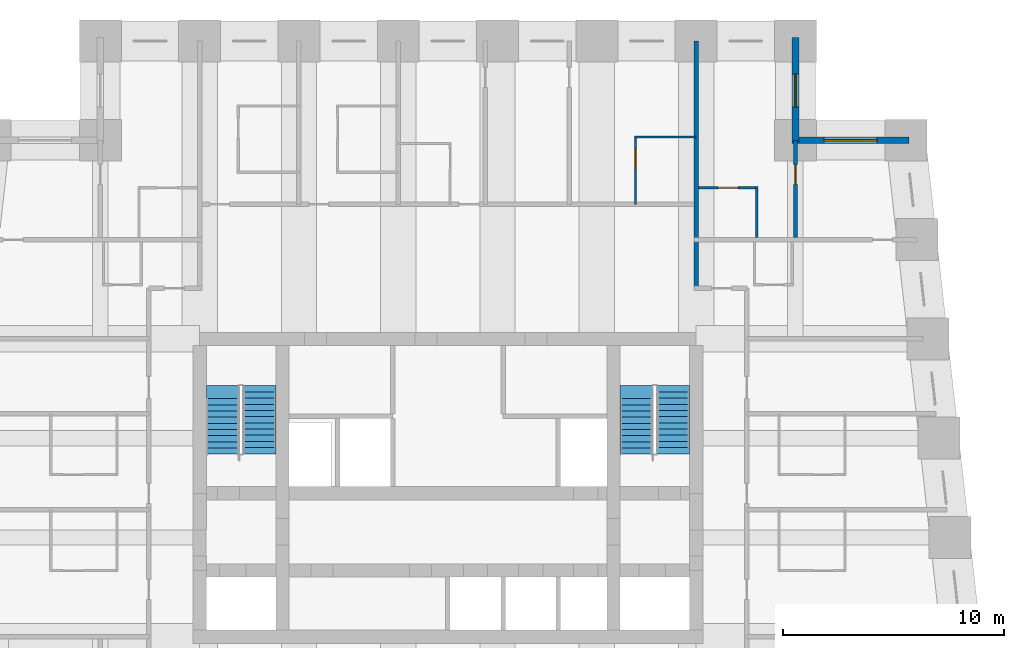
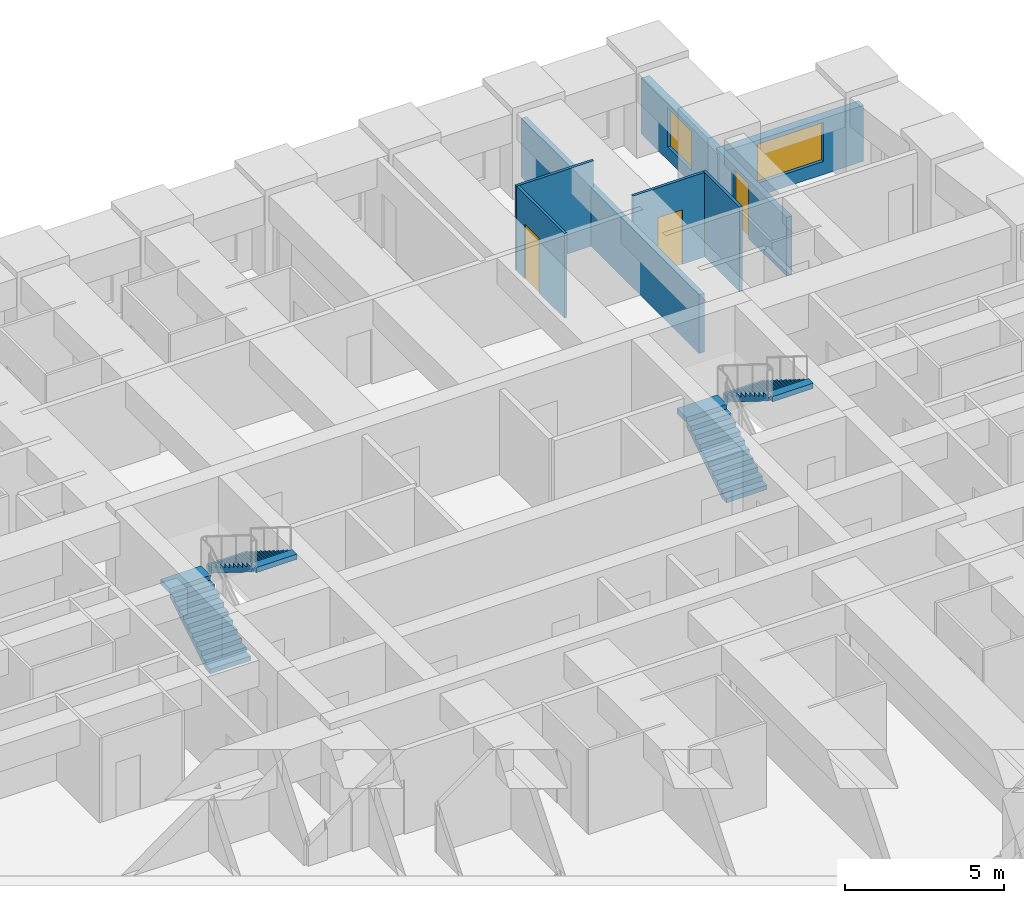
# One storey, part 7 of 8: 8 walls, 4 stair flights, 3 doors, 2 windows, 5 openings, 2 elements without a shape of their own.
"""IFC4 building model written with IfcOpenShell, lengths in metres."""

import ifcopenshell
import ifcopenshell.guid

model = None  # the IFC model being written
_history = None  # IfcOwnerHistory: only IFC2X3 demands one
_inside = {}  # id of a spatial element -> (the spatial element, [elements in it])
_under = {}  # id of a project, library or spatial element -> (it, [spatial elements below it])
_declared = {}  # id of a project -> (the project, [libraries it declares])
_typed = {}  # id of a type object -> (the type object, [elements of that type])
_made_of = {}  # id of a material, layer set ... -> (it, [elements and type objects made of it])


def new_model(schema):
    """Start an empty IFC model of exactly this schema.

    Asked for "IFC4X3", IfcOpenShell would pick the latest addendum, in which some entities
    have other attributes; the version numbers below select the first issue.
    IFC2X3 requires an IfcOwnerHistory on every rooted entity: one is made here for all.
    """
    global model, _history
    if schema == "IFC4X3":
        model = ifcopenshell.file(schema_version=(4, 3, 0, 0))
    else:
        model = ifcopenshell.file(schema=schema)
    _inside.clear()
    _under.clear()
    _declared.clear()
    _typed.clear()
    _made_of.clear()
    _history = None
    if model.schema == "IFC2X3":
        org = make("IfcOrganization", Name="unknown")
        user = make(
            "IfcPersonAndOrganization",
            ThePerson=make("IfcPerson", FamilyName="unknown"),
            TheOrganization=org,
        )
        app = make(
            "IfcApplication",
            ApplicationDeveloper=org,
            Version="unknown",
            ApplicationFullName="unknown",
            ApplicationIdentifier="unknown",
        )
        _history = make(
            "IfcOwnerHistory",
            OwningUser=user,
            OwningApplication=app,
            ChangeAction="ADDED",
            CreationDate=0,
        )
    return model


def make(cls, **values):
    """One entity of the class cls with the attributes given. An attribute that is None is left unset."""
    return model.create_entity(
        cls, **{name: value for name, value in values.items() if value is not None}
    )


def rooted(cls, **values):
    """An entity with a GlobalId (a new one), such as an element, a storey or a relation."""
    return make(cls, GlobalId=ifcopenshell.guid.new(), OwnerHistory=_history, **values)


def si_unit(unit_type, name, prefix=None):
    """IfcSIUnit, for example si_unit("LENGTHUNIT", "METRE", prefix="MILLI")."""
    return make("IfcSIUnit", UnitType=unit_type, Prefix=prefix, Name=name)


def assignment(units):
    """IfcUnitAssignment: the units of a project."""
    return None if units is None else make("IfcUnitAssignment", Units=units)


def point(xyz):
    """IfcCartesianPoint."""
    return None if xyz is None else make("IfcCartesianPoint", Coordinates=xyz)


def direction(xyz):
    """IfcDirection."""
    return None if xyz is None else make("IfcDirection", DirectionRatios=xyz)


def frame(location, z_axis=None, x_axis=None):
    """IfcAxis2Placement3D, a coordinate frame: its origin and axes. An axis left out is left unset."""
    return make(
        "IfcAxis2Placement3D",
        Location=point(location),
        Axis=direction(z_axis),
        RefDirection=direction(x_axis),
    )


def frame_2d(location, x_axis=None):
    """IfcAxis2Placement2D, a coordinate frame in the plane: its origin and x axis."""
    return make(
        "IfcAxis2Placement2D", Location=point(location), RefDirection=direction(x_axis)
    )


def origin():
    """The frame at (0, 0, 0) with its axes left unset."""
    return frame((0.0, 0.0, 0.0))


def place(relative_to, where):
    """IfcLocalPlacement: puts the frame where relative to a parent placement (None: the world)."""
    return make(
        "IfcLocalPlacement", PlacementRelTo=relative_to, RelativePlacement=where
    )


def context(
    kind, dimensions, precision=None, world=None, true_north=None, identifier=None
):
    """IfcGeometricRepresentationContext, for example the 3D "Model" context."""
    return make(
        "IfcGeometricRepresentationContext",
        ContextIdentifier=identifier,
        ContextType=kind,
        CoordinateSpaceDimension=dimensions,
        Precision=precision,
        WorldCoordinateSystem=world,
        TrueNorth=true_north,
    )


def subcontext(parent, identifier, kind, view, scale=None):
    """IfcGeometricRepresentationSubContext, for example "Body" below "Model"."""
    return make(
        "IfcGeometricRepresentationSubContext",
        ContextIdentifier=identifier,
        ContextType=kind,
        ParentContext=parent,
        TargetScale=scale,
        TargetView=view,
    )


def project(units=None, contexts=None):
    """IfcProject with its units and contexts."""
    return rooted(
        "IfcProject",
        Name="project",
        RepresentationContexts=contexts,
        UnitsInContext=assignment(units),
    )


def spatial(cls, under=None, at=None, **own):
    """A site, building, storey or space (cls), placed at a placement, below another one or the project."""
    s = rooted(cls, ObjectPlacement=at, **own)
    if under is not None:
        _under.setdefault(under.id(), (under, []))[1].append(s)
    return s


def polyline(points):
    """IfcPolyline through the points."""
    return make("IfcPolyline", Points=[point(p) for p in points])


def profile(cls, at=None, kind="AREA", **sizes):
    """A parametric profile (cls). Its sizes go by their IFC names, for example OverallWidth=200.0."""
    return make(cls, ProfileType=kind, Position=at, **sizes)


def rectangle(**sizes):
    """IfcRectangleProfileDef."""
    return profile("IfcRectangleProfileDef", **sizes)


def outline(outer, holes=None, kind="AREA"):
    """IfcArbitraryClosedProfileDef: a profile drawn as a closed curve; with holes, ...WithVoids."""
    if holes is None:
        return make("IfcArbitraryClosedProfileDef", ProfileType=kind, OuterCurve=outer)
    return make(
        "IfcArbitraryProfileDefWithVoids",
        ProfileType=kind,
        OuterCurve=outer,
        InnerCurves=holes,
    )


def extrude(swept, where, along, depth):
    """IfcExtrudedAreaSolid: the profile swept, set in the frame where, extruded along a direction by depth."""
    return make(
        "IfcExtrudedAreaSolid",
        SweptArea=swept,
        Position=where,
        ExtrudedDirection=direction(along),
        Depth=depth,
    )


def shape(context_of_items, identifier, shape_type, items):
    """IfcShapeRepresentation: the items that make up one representation, for example the "Body"."""
    return make(
        "IfcShapeRepresentation",
        ContextOfItems=context_of_items,
        RepresentationIdentifier=identifier,
        RepresentationType=shape_type,
        Items=items,
    )


def material(Name=None, Category=None):
    """IfcMaterial."""
    return make("IfcMaterial", Name=Name, Category=Category)


def layer(
    of_material, thickness, ventilated=None, Name=None, Category=None, Priority=None
):
    """IfcMaterialLayer: one layer of a wall or slab, of a material (None: an air gap)."""
    return make(
        "IfcMaterialLayer",
        Material=of_material,
        LayerThickness=thickness,
        IsVentilated=ventilated,
        Name=Name,
        Category=Category,
        Priority=Priority,
    )


def layer_set(layers, Name=None):
    """IfcMaterialLayerSet."""
    return make("IfcMaterialLayerSet", MaterialLayers=layers, LayerSetName=Name)


def made_of(thing, what):
    """Note that an element or type object is made of a material, layer set ...; save() writes the relation."""
    if what is not None:
        _made_of.setdefault(what.id(), (what, []))[1].append(thing)
    return thing


def type_object(cls, material=None, **own):
    """A type object (cls), such as IfcWallType, which elements share."""
    return made_of(rooted(cls, **own), material)


def element(
    cls,
    number,
    at=None,
    inside=None,
    cuts=None,
    type_object=None,
    material=None,
    context=None,
    identifier="Body",
    shape_type=None,
    held_by="IfcProductDefinitionShape",
    body=None,
    shapes=None,
    **own,
):
    """One element of the class cls, such as IfcWall. Its Tag is "e" and its number.

    at: its placement. inside: the storey or other place that contains it. cuts: it is an
    opening in that element (IfcRelVoidsElement). A single representation is given by context,
    identifier, shape_type and body (its items); several are given by shapes. held_by: the class
    of the entity that holds the representations. save() writes the other relations.
    """
    e = rooted(cls, Tag="e%d" % number, ObjectPlacement=at, **own)
    if body is not None:
        shapes = [shape(context, identifier, shape_type, body)]
    if shapes is not None:
        e.Representation = make(held_by, Representations=shapes)
    if inside is not None:
        _inside.setdefault(inside.id(), (inside, []))[1].append(e)
    if cuts is not None:
        rooted(
            "IfcRelVoidsElement", RelatingBuildingElement=cuts, RelatedOpeningElement=e
        )
    if type_object is not None:
        _typed.setdefault(type_object.id(), (type_object, []))[1].append(e)
    return made_of(e, material)


def fill(opening, filler):
    """IfcRelFillsElement: the door or window that sits in an opening."""
    return rooted(
        "IfcRelFillsElement",
        RelatingOpeningElement=opening,
        RelatedBuildingElement=filler,
    )


def aggregate(whole, parts):
    """IfcRelAggregates: a whole, such as a stair, and the parts it consists of."""
    return rooted("IfcRelAggregates", RelatingObject=whole, RelatedObjects=parts)


def save(model, path):
    """Write the relations noted so far, then the file.

    IfcRelAggregates (storeys below a building ...), IfcRelContainedInSpatialStructure (elements
    in a storey), IfcRelDefinesByType, IfcRelAssociatesMaterial and IfcRelDeclares: one each for
    every whole, place, type object, material and project.
    """
    for whole, parts in _under.values():
        aggregate(whole, parts)
    for where, things in _inside.values():
        rooted(
            "IfcRelContainedInSpatialStructure",
            RelatedElements=things,
            RelatingStructure=where,
        )
    for kind, things in _typed.values():
        rooted("IfcRelDefinesByType", RelatedObjects=things, RelatingType=kind)
    for what, things in _made_of.values():
        rooted("IfcRelAssociatesMaterial", RelatedObjects=things, RelatingMaterial=what)
    for by, libraries in _declared.values():
        rooted("IfcRelDeclares", RelatingContext=by, RelatedDefinitions=libraries)
    model.write(path)


model = new_model("IFC4")

# Units and contexts
model_context = context("Model", 3, precision=1e-05, world=origin(), true_north=direction((0.0, 1.0)))
body_context = subcontext(model_context, "Body", "Model", "MODEL_VIEW")
ifc_project = project(units=[si_unit("LENGTHUNIT", "METRE"), si_unit("AREAUNIT", "SQUARE_METRE"), si_unit("VOLUMEUNIT", "CUBIC_METRE"), si_unit("PLANEANGLEUNIT", "RADIAN"), si_unit("MASSUNIT", "GRAM", prefix="KILO")], contexts=[model_context])

# Site, building, storey
site_placement = place(None, origin())
site = spatial("IfcSite", under=ifc_project, at=site_placement, CompositionType="ELEMENT")
building_placement = place(site_placement, origin())
building = spatial("IfcBuilding", under=site, at=building_placement, Name="Kilele Tower Hotel", CompositionType="ELEMENT")
storey_placement = place(building_placement, frame((0.0, 0.0, 100.39990234375)))
storey = spatial("IfcBuildingStorey", under=building, at=storey_placement, Name="L25", CompositionType="ELEMENT", Elevation=100.39990234375)

# Wall
ifc_material_1 = material(Name="Moisture-resistant board")
ifc_layer_1 = layer(ifc_material_1, 0.10009765625)
ifc_layer_set_1 = layer_set([ifc_layer_1], Name="Moisture-resistant board")
wall_type_1 = type_object("IfcWallType", Name="Bathroom partition 100", PredefinedType="PLUMBINGWALL", material=ifc_layer_set_1)
wall_1_placement = place(storey_placement, frame((33.199951171875, 36.14990234375, 0.0), z_axis=(0.0, 0.0, 1.0), x_axis=(1.0, 0.0, 0.0)))
element("IfcWall", 1, at=wall_1_placement, inside=storey, type_object=wall_type_1, Name="Bathroom partition 100 L25", PredefinedType="PLUMBINGWALL", context=body_context, shape_type="SweptSolid", body=[
    extrude(rectangle(XDim=2.800048828125, YDim=0.10009765625, at=frame_2d((1.39990234375, 0.0))), origin(), (0.0, 0.0, 1.0), 3.25),
])

# Wall, opening, door
wall_2_placement = place(storey_placement, frame((33.25, 33.10009765625, 0.0), z_axis=(0.0, 0.0, 1.0), x_axis=(0.0, 1.0, 0.0)))
wall_2 = element("IfcWall", 2, at=wall_2_placement, inside=storey, type_object=wall_type_1, Name="Bathroom partition 100 L25", PredefinedType="PLUMBINGWALL", context=body_context, shape_type="SweptSolid", body=[
    extrude(rectangle(XDim=3.099853515625, YDim=0.10009765625, at=frame_2d((1.5498046875, 0.0))), origin(), (0.0, 0.0, 1.0), 3.25),
])
opening_1_placement = place(wall_2_placement, frame((1.60009765625, 0.0, 0.0)))
opening_1 = element("IfcOpeningElement", 3, at=opening_1_placement, cuts=wall_2, Name="Opening D2A", PredefinedType="OPENING", context=body_context, shape_type="SweptSolid", body=[
    extrude(rectangle(XDim=0.89990234375, YDim=2.10009765625, at=frame_2d((0.449951171875, 1.050048828125))), frame((0.0, 0.06005859375, 0.0), z_axis=(0.0, -1.0, 0.0), x_axis=(1.0, 0.0, 0.0)), (0.0, 0.0, 1.0), 0.1201171875),
])
ifc_material_2 = material(Name="Timber door leaf in hardwood frame", Category="wood")
door_type_1 = type_object("IfcDoorType", Name="Bathroom door 900", OperationType="SINGLE_SWING_LEFT", PredefinedType="DOOR", material=ifc_material_2)
door_1_placement = place(opening_1_placement, origin())
door_1 = element("IfcDoor", 4, at=door_1_placement, inside=storey, type_object=door_type_1, Name="Bathroom door 2513B", OperationType="SINGLE_SWING_LEFT", OverallHeight=2.10009765625, OverallWidth=0.89990234375, PredefinedType="DOOR", context=body_context, shape_type="SweptSolid", body=[
    extrude(rectangle(XDim=0.89990234375, YDim=2.10009765625, at=frame_2d((0.449951171875, 1.050048828125))), frame((0.0, 0.02490234375, 0.0), z_axis=(0.0, -1.0, 0.0), x_axis=(1.0, 0.0, 0.0)), (0.0, 0.0, 1.0), 0.050048828125),
])
fill(opening_1, door_1)

# Wall
wall_3_placement = place(storey_placement, frame((38.75, 31.60009765625, 0.0), z_axis=(0.0, 0.0, 1.0), x_axis=(0.0, 1.0, 0.0)))
element("IfcWall", 5, at=wall_3_placement, inside=storey, type_object=wall_type_1, Name="Bathroom partition 100 L25", PredefinedType="PLUMBINGWALL", context=body_context, shape_type="SweptSolid", body=[
    extrude(rectangle(XDim=2.2998046875, YDim=0.10009765625, at=frame_2d((1.14990234375, 0.0))), origin(), (0.0, 0.0, 1.0), 3.25),
])

# Wall, opening, door
wall_4_placement = place(storey_placement, frame((36.10009765625, 33.85009765625, 0.0), z_axis=(0.0, 0.0, 1.0), x_axis=(1.0, 0.0, 0.0)))
wall_4 = element("IfcWall", 6, at=wall_4_placement, inside=storey, type_object=wall_type_1, Name="Bathroom partition 100 L25", PredefinedType="PLUMBINGWALL", context=body_context, shape_type="SweptSolid", body=[
    extrude(rectangle(XDim=2.699951171875, YDim=0.10009765625, at=frame_2d((1.35009765625, 0.0))), origin(), (0.0, 0.0, 1.0), 3.25),
])
opening_2_placement = place(wall_4_placement, frame((0.89990234375, 0.0, 0.0)))
opening_2 = element("IfcOpeningElement", 7, at=opening_2_placement, cuts=wall_4, Name="Opening D2A", PredefinedType="OPENING", context=body_context, shape_type="SweptSolid", body=[
    extrude(rectangle(XDim=0.89990234375, YDim=2.10009765625, at=frame_2d((0.449951171875, 1.050048828125))), frame((0.0, 0.06005859375, 0.0), z_axis=(0.0, -1.0, 0.0), x_axis=(1.0, 0.0, 0.0)), (0.0, 0.0, 1.0), 0.1201171875),
])
door_2_placement = place(opening_2_placement, origin())
door_2 = element("IfcDoor", 8, at=door_2_placement, inside=storey, type_object=door_type_1, Name="Bathroom door 2524B", OperationType="SINGLE_SWING_LEFT", OverallHeight=2.10009765625, OverallWidth=0.89990234375, PredefinedType="DOOR", context=body_context, shape_type="SweptSolid", body=[
    extrude(rectangle(XDim=0.89990234375, YDim=2.10009765625, at=frame_2d((0.449951171875, 1.050048828125))), frame((0.0, 0.02490234375, 0.0), z_axis=(0.0, -1.0, 0.0), x_axis=(1.0, 0.0, 0.0)), (0.0, 0.0, 1.0), 0.050048828125),
])
fill(opening_2, door_2)

ifc_material_3 = material(Name="Blockwork, plastered both sides", Category="masonry")
ifc_layer_2 = layer(ifc_material_3, 0.199951171875)
ifc_layer_set_2 = layer_set([ifc_layer_2], Name="Blockwork, plastered both sides")
wall_type_2 = type_object("IfcWallType", Name="Partition wall 200", PredefinedType="PARTITIONING", material=ifc_layer_set_2)
wall_5_placement = place(storey_placement, frame((40.5, 31.60009765625, 0.0), z_axis=(0.0, 0.0, 1.0), x_axis=(0.0, 1.0, 0.0)))
wall_5 = element("IfcWall", 9, at=wall_5_placement, inside=storey, type_object=wall_type_2, Name="Partition wall 200 L25", PredefinedType="PARTITIONING", context=body_context, shape_type="SweptSolid", body=[
    extrude(rectangle(XDim=4.39990234375, YDim=0.199951171875, at=frame_2d((2.199951171875, 0.0))), origin(), (0.0, 0.0, 1.0), 2.25),
])
opening_3_placement = place(wall_5_placement, frame((2.39990234375, 0.0, 0.0)))
opening_3 = element("IfcOpeningElement", 10, at=opening_3_placement, cuts=wall_5, Name="Opening D3", PredefinedType="OPENING", context=body_context, shape_type="SweptSolid", body=[
    extrude(rectangle(XDim=0.89990234375, YDim=2.10009765625, at=frame_2d((0.449951171875, 1.050048828125))), frame((0.0, 0.10986328125, 0.0), z_axis=(0.0, -1.0, 0.0), x_axis=(1.0, 0.0, 0.0)), (0.0, 0.0, 1.0), 0.219970703125),
])
ifc_material_4 = material(Name="Timber door leaf in hardwood frame", Category="wood")
door_type_2 = type_object("IfcDoorType", Name="Suite internal door 900", OperationType="SINGLE_SWING_LEFT", PredefinedType="DOOR", material=ifc_material_4)
door_3_placement = place(opening_3_placement, origin())
door_3 = element("IfcDoor", 11, at=door_3_placement, inside=storey, type_object=door_type_2, Name="Suite door 2525", OperationType="SINGLE_SWING_RIGHT", OverallHeight=2.10009765625, OverallWidth=0.89990234375, PredefinedType="DOOR", context=body_context, shape_type="SweptSolid", body=[
    extrude(rectangle(XDim=0.89990234375, YDim=2.10009765625, at=frame_2d((0.449951171875, 1.050048828125))), frame((0.0, 0.02490234375, 0.0), z_axis=(0.0, -1.0, 0.0), x_axis=(1.0, 0.0, 0.0)), (0.0, 0.0, 1.0), 0.050048828125),
])
fill(opening_3, door_3)

# Wall
ifc_material_5 = material(Name="Blockwork, plastered both sides", Category="masonry")
ifc_layer_3 = layer(ifc_material_5, 0.199951171875)
ifc_layer_set_3 = layer_set([ifc_layer_3], Name="Blockwork, plastered both sides")
wall_type_3 = type_object("IfcWallType", Name="Party wall 200", PredefinedType="PARTITIONING", material=ifc_layer_set_3)
wall_6_placement = place(storey_placement, frame((36.0, 29.300048828125, 0.0), z_axis=(0.0, 0.0, 1.0), x_axis=(0.0, 1.0, 0.0)))
element("IfcWall", 12, at=wall_6_placement, inside=storey, type_object=wall_type_3, Name="Party wall 200 L25", PredefinedType="PARTITIONING", context=body_context, shape_type="SweptSolid", body=[
    extrude(rectangle(XDim=11.199951171875, YDim=0.199951171875, at=frame_2d((5.60009765625, 0.0))), origin(), (0.0, 0.0, 1.0), 2.25),
])

# Wall, opening, window
ifc_material_6 = material(Name="Concrete C40/50 precast", Category="concrete")
ifc_layer_4 = layer(ifc_material_6, 0.260009765625, Name="Precast backing", Category="LoadBearing")
ifc_material_7 = material(Name="Reconstituted stone finish", Category="masonry")
ifc_layer_5 = layer(ifc_material_7, 0.0400390625, Name="Face mix", Category="Finish")
ifc_layer_set_4 = layer_set([ifc_layer_4, ifc_layer_5], Name="Precast concrete C40/50, reconstituted stone finish")
wall_type_4 = type_object("IfcWallType", Name="Precast stone facade wall 300", PredefinedType="STANDARD", material=ifc_layer_set_4)
wall_7_placement = place(storey_placement, frame((45.64990234375, 36.0, 0.0), z_axis=(0.0, 0.0, 1.0), x_axis=(-1.0, 0.0, 0.0)))
wall_7 = element("IfcWall", 13, at=wall_7_placement, inside=storey, type_object=wall_type_4, Name="Facade wall L25 edge 7", PredefinedType="STANDARD", context=body_context, shape_type="SweptSolid", body=[
    extrude(rectangle(XDim=5.2998046875, YDim=0.300048828125, at=frame_2d((2.64990234375, 0.0))), origin(), (0.0, 0.0, 1.0), 2.150146484375),
])
opening_4_placement = place(wall_7_placement, frame((1.449951171875, 0.0, 0.5)))
opening_4 = element("IfcOpeningElement", 14, at=opening_4_placement, cuts=wall_7, Name="Opening W2", PredefinedType="OPENING", context=body_context, shape_type="SweptSolid", body=[
    extrude(rectangle(XDim=2.39990234375, YDim=1.5, at=frame_2d((1.199951171875, 0.75))), frame((0.0, 0.159912109375, 0.0), z_axis=(0.0, -1.0, 0.0), x_axis=(1.0, 0.0, 0.0)), (0.0, 0.0, 1.0), 0.320068359375),
])
ifc_material_8 = material(Name="Aluminium frame, clear double glazing", Category="aluminium")
window_type_1 = type_object("IfcWindowType", Name="Window W2 2400 x 1500", PartitioningType="SINGLE_PANEL", PredefinedType="WINDOW", material=ifc_material_8)
window_1_placement = place(opening_4_placement, origin())
window_1 = element("IfcWindow", 15, at=window_1_placement, inside=storey, type_object=window_type_1, Name="Window L25", OverallHeight=1.5, OverallWidth=2.39990234375, PartitioningType="SINGLE_PANEL", PredefinedType="WINDOW", context=body_context, shape_type="SweptSolid", body=[
    extrude(rectangle(XDim=2.39990234375, YDim=1.5, at=frame_2d((1.199951171875, 0.75))), frame((0.0, 0.030029296875, 0.0), z_axis=(0.0, -1.0, 0.0), x_axis=(1.0, 0.0, 0.0)), (0.0, 0.0, 1.0), 0.06005859375),
])
fill(opening_4, window_1)

wall_8_placement = place(storey_placement, frame((40.5, 35.85009765625, 0.0), z_axis=(0.0, 0.0, 1.0), x_axis=(0.0, 1.0, 0.0)))
wall_8 = element("IfcWall", 16, at=wall_8_placement, inside=storey, type_object=wall_type_4, Name="Facade wall L25 edge 8", PredefinedType="STANDARD", context=body_context, shape_type="SweptSolid", body=[
    extrude(rectangle(XDim=4.7998046875, YDim=0.300048828125, at=frame_2d((2.39990234375, 0.0))), origin(), (0.0, 0.0, 1.0), 2.150146484375),
])
opening_5_placement = place(wall_8_placement, frame((1.64990234375, 0.0, 0.5)))
opening_5 = element("IfcOpeningElement", 17, at=opening_5_placement, cuts=wall_8, Name="Opening W2", PredefinedType="OPENING", context=body_context, shape_type="SweptSolid", body=[
    extrude(rectangle(XDim=1.5, YDim=1.5, at=frame_2d((0.75, 0.75))), frame((0.0, 0.159912109375, 0.0), z_axis=(0.0, -1.0, 0.0), x_axis=(1.0, 0.0, 0.0)), (0.0, 0.0, 1.0), 0.320068359375),
])
ifc_material_9 = material(Name="Aluminium frame, clear double glazing", Category="aluminium")
window_type_2 = type_object("IfcWindowType", Name="Window W2 1500 x 1500", PartitioningType="SINGLE_PANEL", PredefinedType="WINDOW", material=ifc_material_9)
window_2_placement = place(opening_5_placement, origin())
window_2 = element("IfcWindow", 18, at=window_2_placement, inside=storey, type_object=window_type_2, Name="Window L25", OverallHeight=1.5, OverallWidth=1.5, PartitioningType="SINGLE_PANEL", PredefinedType="WINDOW", context=body_context, shape_type="SweptSolid", body=[
    extrude(rectangle(XDim=1.5, YDim=1.5, at=frame_2d((0.75, 0.75))), frame((0.0, 0.030029296875, 0.0), z_axis=(0.0, -1.0, 0.0), x_axis=(1.0, 0.0, 0.0)), (0.0, 0.0, 1.0), 0.06005859375),
])
fill(opening_5, window_2)

# Stair, stair flights
ifc_material_10 = material(Name="Precast concrete C40/50", Category="concrete")
stair_type = type_object("IfcStairType", Name="Stair 1475 x 3500", PredefinedType="HALF_TURN_STAIR", material=ifc_material_10)
stair_1_placement = place(storey_placement, origin())
stair_1 = element("IfcStair", 19, at=stair_1_placement, inside=storey, type_object=stair_type, Name="Stair 1 L25", PredefinedType="HALF_TURN_STAIR")
ifc_material_11 = material(Name="Precast concrete C40/50", Category="concrete")
stair_flight_type = type_object("IfcStairFlightType", Name="Flight 1475 riser 175.0", PredefinedType="STRAIGHT", material=ifc_material_11)
stair_flight_1_placement = place(storey_placement, frame((14.53759765625, 21.77490234375, 0.0), z_axis=(0.0, 0.0, 1.0), x_axis=(0.0, 1.0, 0.0)))
stair_flight_1 = element("IfcStairFlight", 20, at=stair_flight_1_placement, type_object=stair_flight_type, Name="ST1 flight 1", NumberOfRisers=10, NumberOfTreads=9, PredefinedType="STRAIGHT", RiserHeight=0.175, TreadLength=0.28, context=body_context, shape_type="SweptSolid", body=[
    extrude(outline(polyline([(0.0, 0.0), (0.0, 0.175048828125), (0.280029296875, 0.175048828125), (0.280029296875, 0.35009765625), (0.56005859375, 0.35009765625), (0.56005859375, 0.52490234375), (0.840087890625, 0.52490234375), (0.840087890625, 0.699951171875), (1.1201171875, 0.699951171875), (1.1201171875, 0.875), (1.39990234375, 0.875), (1.39990234375, 1.050048828125), (1.679931640625, 1.050048828125), (1.679931640625, 1.22509765625), (1.9599609375, 1.22509765625), (1.9599609375, 1.39990234375), (2.239990234375, 1.39990234375), (2.239990234375, 1.574951171875), (2.52001953125, 1.574951171875), (2.52001953125, 1.75), (2.52001953125, 1.398193359375), (0.28271484375, 0.0), (0.0, 0.0)])), frame((0.0, 0.737548828125, 0.0), z_axis=(0.0, -1.0, 0.0), x_axis=(1.0, 0.0, 0.0)), (0.0, 0.0, 1.0), 1.47509765625),
    extrude(outline(polyline([(2.52001953125, 0.737548828125), (2.52001953125, -0.7373046875), (3.1201171875, -0.7373046875), (3.1201171875, 0.737548828125), (2.52001953125, 0.737548828125)])), frame((0.0, 0.0, 1.550048828125)), (0.0, 0.0, 1.0), 0.199951171875),
])
stair_flight_2_placement = place(storey_placement, frame((16.21240234375, 24.594970703125, 1.75), z_axis=(0.0, 0.0, 1.0), x_axis=(0.0, -1.0, 0.0)))
stair_flight_2 = element("IfcStairFlight", 21, at=stair_flight_2_placement, type_object=stair_flight_type, Name="ST1 flight 2", NumberOfRisers=10, NumberOfTreads=9, PredefinedType="STRAIGHT", RiserHeight=0.175, TreadLength=0.28, context=body_context, shape_type="SweptSolid", body=[
    extrude(outline(polyline([(0.0, 0.0), (0.0, 0.175048828125), (0.280029296875, 0.175048828125), (0.280029296875, 0.35009765625), (0.56005859375, 0.35009765625), (0.56005859375, 0.52490234375), (0.840087890625, 0.52490234375), (0.840087890625, 0.699951171875), (1.1201171875, 0.699951171875), (1.1201171875, 0.875), (1.39990234375, 0.875), (1.39990234375, 1.050048828125), (1.679931640625, 1.050048828125), (1.679931640625, 1.22509765625), (1.9599609375, 1.22509765625), (1.9599609375, 1.39990234375), (2.239990234375, 1.39990234375), (2.239990234375, 1.574951171875), (2.52001953125, 1.574951171875), (2.52001953125, 1.75), (2.52001953125, 1.398193359375), (0.28271484375, 0.0), (0.0, 0.0)])), frame((0.0, 0.737548828125, 0.0), z_axis=(0.0, -1.0, 0.0), x_axis=(1.0, 0.0, 0.0)), (0.0, 0.0, 1.0), 1.47509765625),
    extrude(outline(polyline([(0.0, -0.7373046875), (0.0, 0.737548828125), (-0.300048828125, 0.737548828125), (-0.300048828125, -0.7373046875), (0.0, -0.7373046875)])), frame((0.0, 0.0, -0.199951171875)), (0.0, 0.0, 1.0), 0.199951171875),
    extrude(outline(polyline([(2.820068359375, -0.7373046875), (2.820068359375, 0.737548828125), (2.52001953125, 0.737548828125), (2.52001953125, -0.7373046875), (2.820068359375, -0.7373046875)])), frame((0.0, 0.0, 1.550048828125)), (0.0, 0.0, 1.0), 0.199951171875),
])
aggregate(stair_1, [stair_flight_1, stair_flight_2])

stair_2_placement = place(storey_placement, origin())
stair_2 = element("IfcStair", 22, at=stair_2_placement, inside=storey, type_object=stair_type, Name="Stair 2 L25", PredefinedType="HALF_TURN_STAIR")
stair_flight_3_placement = place(storey_placement, frame((33.28759765625, 21.77490234375, 0.0), z_axis=(0.0, 0.0, 1.0), x_axis=(0.0, 1.0, 0.0)))
stair_flight_3 = element("IfcStairFlight", 23, at=stair_flight_3_placement, type_object=stair_flight_type, Name="ST2 flight 1", NumberOfRisers=10, NumberOfTreads=9, PredefinedType="STRAIGHT", RiserHeight=0.175, TreadLength=0.28, context=body_context, shape_type="SweptSolid", body=[
    extrude(outline(polyline([(0.0, 0.0), (0.0, 0.175048828125), (0.280029296875, 0.175048828125), (0.280029296875, 0.35009765625), (0.56005859375, 0.35009765625), (0.56005859375, 0.52490234375), (0.840087890625, 0.52490234375), (0.840087890625, 0.699951171875), (1.1201171875, 0.699951171875), (1.1201171875, 0.875), (1.39990234375, 0.875), (1.39990234375, 1.050048828125), (1.679931640625, 1.050048828125), (1.679931640625, 1.22509765625), (1.9599609375, 1.22509765625), (1.9599609375, 1.39990234375), (2.239990234375, 1.39990234375), (2.239990234375, 1.574951171875), (2.52001953125, 1.574951171875), (2.52001953125, 1.75), (2.52001953125, 1.398193359375), (0.28271484375, 0.0), (0.0, 0.0)])), frame((0.0, 0.737548828125, 0.0), z_axis=(0.0, -1.0, 0.0), x_axis=(1.0, 0.0, 0.0)), (0.0, 0.0, 1.0), 1.47509765625),
    extrude(outline(polyline([(2.52001953125, 0.737548828125), (2.52001953125, -0.7373046875), (3.1201171875, -0.7373046875), (3.1201171875, 0.737548828125), (2.52001953125, 0.737548828125)])), frame((0.0, 0.0, 1.550048828125)), (0.0, 0.0, 1.0), 0.199951171875),
])
stair_flight_4_placement = place(storey_placement, frame((34.96240234375, 24.594970703125, 1.75), z_axis=(0.0, 0.0, 1.0), x_axis=(0.0, -1.0, 0.0)))
stair_flight_4 = element("IfcStairFlight", 24, at=stair_flight_4_placement, type_object=stair_flight_type, Name="ST2 flight 2", NumberOfRisers=10, NumberOfTreads=9, PredefinedType="STRAIGHT", RiserHeight=0.175, TreadLength=0.28, context=body_context, shape_type="SweptSolid", body=[
    extrude(outline(polyline([(0.0, 0.0), (0.0, 0.175048828125), (0.280029296875, 0.175048828125), (0.280029296875, 0.35009765625), (0.56005859375, 0.35009765625), (0.56005859375, 0.52490234375), (0.840087890625, 0.52490234375), (0.840087890625, 0.699951171875), (1.1201171875, 0.699951171875), (1.1201171875, 0.875), (1.39990234375, 0.875), (1.39990234375, 1.050048828125), (1.679931640625, 1.050048828125), (1.679931640625, 1.22509765625), (1.9599609375, 1.22509765625), (1.9599609375, 1.39990234375), (2.239990234375, 1.39990234375), (2.239990234375, 1.574951171875), (2.52001953125, 1.574951171875), (2.52001953125, 1.75), (2.52001953125, 1.398193359375), (0.28271484375, 0.0), (0.0, 0.0)])), frame((0.0, 0.737548828125, 0.0), z_axis=(0.0, -1.0, 0.0), x_axis=(1.0, 0.0, 0.0)), (0.0, 0.0, 1.0), 1.47509765625),
    extrude(outline(polyline([(0.0, -0.7373046875), (0.0, 0.737548828125), (-0.300048828125, 0.737548828125), (-0.300048828125, -0.7373046875), (0.0, -0.7373046875)])), frame((0.0, 0.0, -0.199951171875)), (0.0, 0.0, 1.0), 0.199951171875),
    extrude(outline(polyline([(2.820068359375, -0.7373046875), (2.820068359375, 0.737548828125), (2.52001953125, 0.737548828125), (2.52001953125, -0.7373046875), (2.820068359375, -0.7373046875)])), frame((0.0, 0.0, 1.550048828125)), (0.0, 0.0, 1.0), 0.199951171875),
])
aggregate(stair_2, [stair_flight_3, stair_flight_4])

save(model, "model.ifc")
